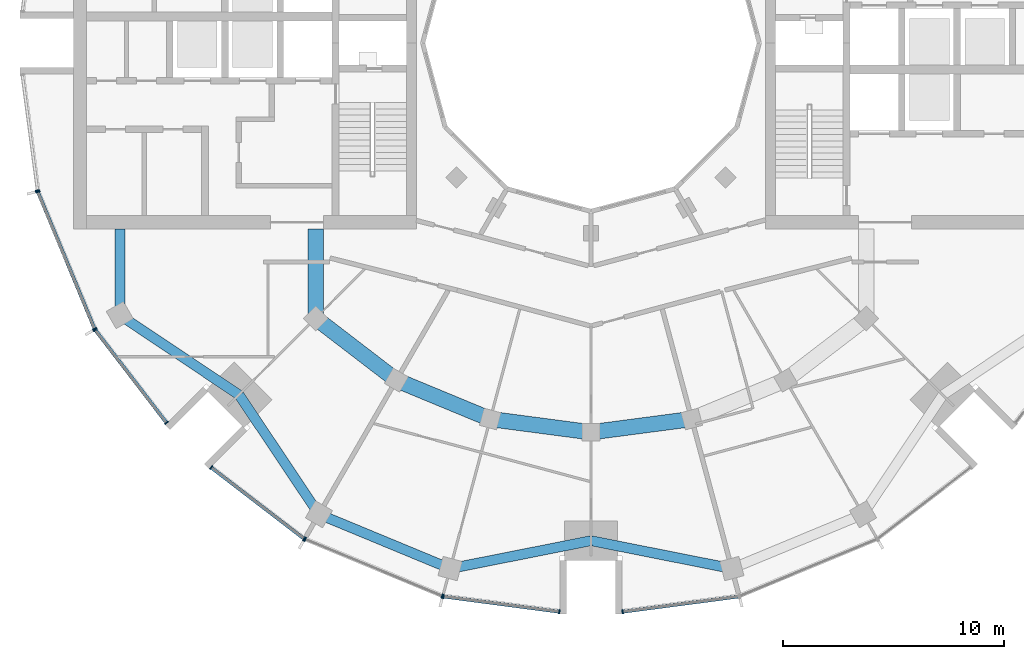
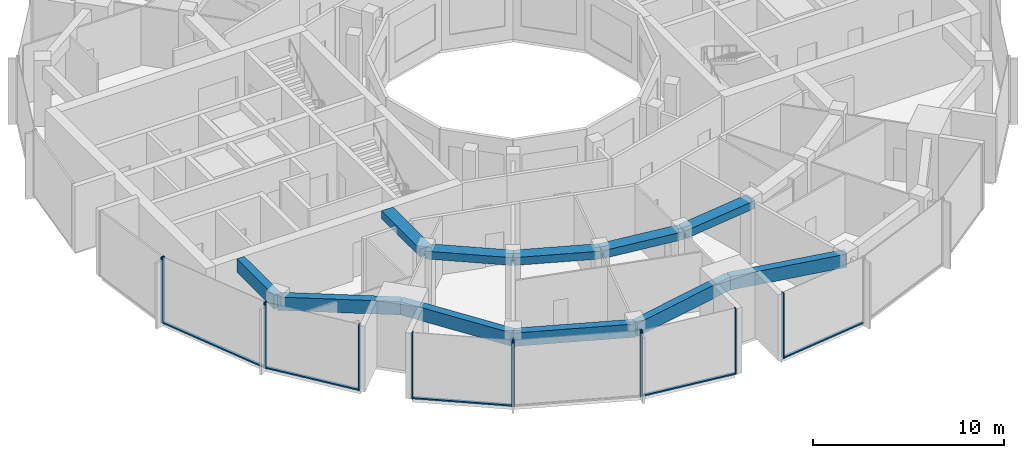
# One storey, part 2 of 15: 17 members, 11 beams, 7 elements without a shape of their own.
"""IFC4 building model written with IfcOpenShell, lengths in metres."""

from ifc_helpers import new_model, si_unit, direction, frame, origin, origin_2d, place, context, subcontext, project, spatial, rectangle, extrude, material, layer, layer_set, material_profile, profile_set, type_object, element, aggregate, save


model = new_model("IFC4")

# Units and contexts
model_context = context("Model", 3, precision=1e-05, world=origin(), true_north=direction((0.0, 1.0)))
body_context = subcontext(model_context, "Body", "Model", "MODEL_VIEW")
ifc_project = project(units=[si_unit("LENGTHUNIT", "METRE"), si_unit("AREAUNIT", "SQUARE_METRE"), si_unit("VOLUMEUNIT", "CUBIC_METRE"), si_unit("PLANEANGLEUNIT", "RADIAN"), si_unit("MASSUNIT", "GRAM", prefix="KILO")], contexts=[model_context])

# Site, building, storey
site_placement = place(None, origin())
site = spatial("IfcSite", under=ifc_project, at=site_placement, CompositionType="ELEMENT")
building_placement = place(site_placement, origin())
building = spatial("IfcBuilding", under=site, at=building_placement, Name="Torre Brocal", CompositionType="ELEMENT")
storey_placement = place(building_placement, frame((0.0, 0.0, 237.300048828125)))
storey = spatial("IfcBuildingStorey", under=building, at=storey_placement, Name="L54", CompositionType="ELEMENT", Elevation=237.300048828125)

# Curtain wall, members
ifc_material_1 = material(Name="Aluminium and glass", Category="aluminium")
ifc_layer_1 = layer(ifc_material_1, 0.199951171875)
ifc_layer_set_1 = layer_set([ifc_layer_1], Name="Aluminium and glass")
curtain_wall_type_1 = type_object("IfcCurtainWallType", Name="CW-1 CURTAIN WALL 4200 HIGH", PredefinedType="NOTDEFINED", material=ifc_layer_set_1)
curtain_wall_1_placement = place(storey_placement, origin())
curtain_wall_1 = element("IfcCurtainWall", 1, at=curtain_wall_1_placement, inside=storey, type_object=curtain_wall_type_1, Name="CW-1 RUN 14", PredefinedType="NOTDEFINED")
ifc_material_2 = material(Name="Aluminium, dark anodised", Category="aluminium")
ifc_material_profile_1 = material_profile(ifc_material_2, rectangle(XDim=0.199951171875, YDim=0.06005859375, at=origin_2d()), Name="CW-1 MULLION 60X200")
ifc_profile_set_1 = profile_set([ifc_material_profile_1], Name="Aluminium, dark anodised")
member_type_1 = type_object("IfcMemberType", Name="CW-1 MULLION 60X200", PredefinedType="MULLION", material=ifc_profile_set_1)
member_1_placement = place(storey_placement, frame((54.994873046875, 68.26904296875, 0.0), z_axis=(0.0, 0.0, 1.0), x_axis=(0.923879532525, 0.382683432333, 0.0)))
member_1 = element("IfcMember", 2, at=member_1_placement, type_object=member_type_1, Name="CW1-5 mullion 1", PredefinedType="MULLION", context=body_context, shape_type="SweptSolid", body=[
    extrude(rectangle(XDim=0.199951171875, YDim=0.06005859375, at=origin_2d()), origin(), (0.0, 0.0, 1.0), 4.199951171875),
])
member_2_placement = place(storey_placement, frame((57.559326171875, 62.078125, 0.0), z_axis=(0.0, 0.0, 1.0), x_axis=(0.923879532525, 0.382683432333, 0.0)))
member_2 = element("IfcMember", 3, at=member_2_placement, type_object=member_type_1, Name="CW1-5 mullion 2", PredefinedType="MULLION", context=body_context, shape_type="SweptSolid", body=[
    extrude(rectangle(XDim=0.199951171875, YDim=0.06005859375, at=origin_2d()), origin(), (0.0, 0.0, 1.0), 4.199951171875),
])

curtain_wall_2_placement = place(storey_placement, origin())
curtain_wall_2 = element("IfcCurtainWall", 4, at=curtain_wall_2_placement, inside=storey, type_object=curtain_wall_type_1, Name="CW-1 RUN 15", PredefinedType="NOTDEFINED")
member_3_placement = place(storey_placement, frame((57.5888671875, 62.026611328125, 0.0), z_axis=(0.0, 0.0, 1.0), x_axis=(0.793353340259, 0.60876142905, 0.0)))
member_3 = element("IfcMember", 5, at=member_3_placement, type_object=member_type_1, Name="CW1-5 mullion 1", PredefinedType="MULLION", context=body_context, shape_type="SweptSolid", body=[
    extrude(rectangle(XDim=0.199951171875, YDim=0.06005859375, at=origin_2d()), origin(), (0.0, 0.0, 1.0), 4.199951171875),
])
member_4_placement = place(storey_placement, frame((60.80859375, 57.83056640625, 0.0), z_axis=(0.0, 0.0, 1.0), x_axis=(0.793353340259, 0.60876142905, 0.0)))
member_4 = element("IfcMember", 6, at=member_4_placement, type_object=member_type_1, Name="CW1-5 mullion 2", PredefinedType="MULLION", context=body_context, shape_type="SweptSolid", body=[
    extrude(rectangle(XDim=0.199951171875, YDim=0.06005859375, at=origin_2d()), origin(), (0.0, 0.0, 1.0), 4.199951171875),
])

curtain_wall_3_placement = place(storey_placement, origin())
curtain_wall_3 = element("IfcCurtainWall", 7, at=curtain_wall_3_placement, inside=storey, type_object=curtain_wall_type_1, Name="CW-1 RUN 16", PredefinedType="NOTDEFINED")
member_5_placement = place(storey_placement, frame((62.83056640625, 55.80859375, 0.0), z_axis=(0.0, 0.0, 1.0), x_axis=(0.60876142905, 0.793353340259, 0.0)))
member_5 = element("IfcMember", 8, at=member_5_placement, type_object=member_type_1, Name="CW1-5 mullion 1", PredefinedType="MULLION", context=body_context, shape_type="SweptSolid", body=[
    extrude(rectangle(XDim=0.199951171875, YDim=0.06005859375, at=origin_2d()), origin(), (0.0, 0.0, 1.0), 4.199951171875),
])
member_6_placement = place(storey_placement, frame((67.026611328125, 52.5888671875, 0.0), z_axis=(0.0, 0.0, 1.0), x_axis=(0.60876142905, 0.793353340259, 0.0)))
member_6 = element("IfcMember", 9, at=member_6_placement, type_object=member_type_1, Name="CW1-5 mullion 2", PredefinedType="MULLION", context=body_context, shape_type="SweptSolid", body=[
    extrude(rectangle(XDim=0.199951171875, YDim=0.06005859375, at=origin_2d()), origin(), (0.0, 0.0, 1.0), 4.199951171875),
])

curtain_wall_4_placement = place(storey_placement, origin())
curtain_wall_4 = element("IfcCurtainWall", 10, at=curtain_wall_4_placement, inside=storey, type_object=curtain_wall_type_1, Name="CW-1 RUN 17", PredefinedType="NOTDEFINED")
member_7_placement = place(storey_placement, frame((67.078125, 52.559326171875, 0.0), z_axis=(0.0, 0.0, 1.0), x_axis=(0.382683432333, 0.923879532525, 0.0)))
member_7 = element("IfcMember", 11, at=member_7_placement, type_object=member_type_1, Name="CW1-5 mullion 1", PredefinedType="MULLION", context=body_context, shape_type="SweptSolid", body=[
    extrude(rectangle(XDim=0.199951171875, YDim=0.06005859375, at=origin_2d()), origin(), (0.0, 0.0, 1.0), 4.199951171875),
])
member_8_placement = place(storey_placement, frame((73.26904296875, 49.994873046875, 0.0), z_axis=(0.0, 0.0, 1.0), x_axis=(0.382683432333, 0.923879532525, 0.0)))
member_8 = element("IfcMember", 12, at=member_8_placement, type_object=member_type_1, Name="CW1-5 mullion 2", PredefinedType="MULLION", context=body_context, shape_type="SweptSolid", body=[
    extrude(rectangle(XDim=0.199951171875, YDim=0.06005859375, at=origin_2d()), origin(), (0.0, 0.0, 1.0), 4.199951171875),
])
aggregate(curtain_wall_4, [member_7, member_8])

curtain_wall_5_placement = place(storey_placement, origin())
curtain_wall_5 = element("IfcCurtainWall", 13, at=curtain_wall_5_placement, inside=storey, type_object=curtain_wall_type_1, Name="CW-1 RUN 18", PredefinedType="NOTDEFINED")
member_9_placement = place(storey_placement, frame((73.32666015625, 49.9794921875, 0.0), z_axis=(0.0, 0.0, 1.0), x_axis=(0.13052619222, 0.991444861374, 0.0)))
member_9 = element("IfcMember", 14, at=member_9_placement, type_object=member_type_1, Name="CW1-5 mullion 1", PredefinedType="MULLION", context=body_context, shape_type="SweptSolid", body=[
    extrude(rectangle(XDim=0.199951171875, YDim=0.06005859375, at=origin_2d()), origin(), (0.0, 0.0, 1.0), 4.199951171875),
])
member_10_placement = place(storey_placement, frame((78.5703125, 49.2890625, 0.0), z_axis=(0.0, 0.0, 1.0), x_axis=(0.13052619222, 0.991444861374, 0.0)))
member_10 = element("IfcMember", 15, at=member_10_placement, type_object=member_type_1, Name="CW1-5 mullion 2", PredefinedType="MULLION", context=body_context, shape_type="SweptSolid", body=[
    extrude(rectangle(XDim=0.199951171875, YDim=0.06005859375, at=origin_2d()), origin(), (0.0, 0.0, 1.0), 4.199951171875),
])

# Curtain wall, member
curtain_wall_6_placement = place(storey_placement, origin())
curtain_wall_6 = element("IfcCurtainWall", 16, at=curtain_wall_6_placement, inside=storey, type_object=curtain_wall_type_1, Name="CW-1 RUN 19", PredefinedType="NOTDEFINED")
member_11_placement = place(storey_placement, frame((81.4296875, 49.2890625, 0.0), z_axis=(0.0, 0.0, 1.0), x_axis=(-0.13052619222, 0.991444861374, 0.0)))
member_11 = element("IfcMember", 17, at=member_11_placement, type_object=member_type_1, Name="CW1-5 mullion 1", PredefinedType="MULLION", context=body_context, shape_type="SweptSolid", body=[
    extrude(rectangle(XDim=0.199951171875, YDim=0.06005859375, at=origin_2d()), origin(), (0.0, 0.0, 1.0), 4.199951171875),
])

# Member
ifc_material_3 = material(Name="Aluminium, dark anodised", Category="aluminium")
ifc_material_profile_2 = material_profile(ifc_material_3, rectangle(XDim=0.159912109375, YDim=0.080078125, at=origin_2d()), Name="CW-1 TRANSOM 160X80")
ifc_profile_set_2 = profile_set([ifc_material_profile_2], Name="Aluminium, dark anodised")
member_type_2 = type_object("IfcMemberType", Name="CW-1 TRANSOM 160X80", PredefinedType="USERDEFINED", material=ifc_profile_set_2)
member_12_placement = place(storey_placement, frame((55.00634765625, 68.241455078125, 0.0400390625), z_axis=(0.38266457234, -0.923887344364, 0.0), x_axis=(0.923887344364, 0.38266457234, 0.0)))
member_12 = element("IfcMember", 18, at=member_12_placement, type_object=member_type_2, Name="CW1-5 transom 1.1", ObjectType="TRANSOM", PredefinedType="USERDEFINED", context=body_context, shape_type="SweptSolid", body=[
    extrude(rectangle(XDim=0.159912109375, YDim=0.080078125, at=origin_2d()), origin(), (0.0, 0.0, 1.0), 6.640869140625),
])

aggregate(curtain_wall_1, [member_1, member_2, member_12])

member_13_placement = place(storey_placement, frame((57.607177734375, 62.0029296875, 0.0400390625), z_axis=(0.60874908096, -0.79336281513, 0.0), x_axis=(0.79336281513, 0.60874908096, 0.0)))
member_13 = element("IfcMember", 19, at=member_13_placement, type_object=member_type_2, Name="CW1-5 transom 1.1", ObjectType="TRANSOM", PredefinedType="USERDEFINED", context=body_context, shape_type="SweptSolid", body=[
    extrude(rectangle(XDim=0.159912109375, YDim=0.080078125, at=origin_2d()), origin(), (0.0, 0.0, 1.0), 5.22900390625),
])

aggregate(curtain_wall_2, [member_3, member_4, member_13])

member_14_placement = place(storey_placement, frame((62.8544921875, 55.790283203125, 0.0400390625), z_axis=(0.79336281513, -0.60874908096, 0.0), x_axis=(0.60874908096, 0.79336281513, 0.0)))
member_14 = element("IfcMember", 20, at=member_14_placement, type_object=member_type_2, Name="CW1-5 transom 1.1", ObjectType="TRANSOM", PredefinedType="USERDEFINED", context=body_context, shape_type="SweptSolid", body=[
    extrude(rectangle(XDim=0.159912109375, YDim=0.080078125, at=origin_2d()), origin(), (0.0, 0.0, 1.0), 5.22900390625),
])

aggregate(curtain_wall_3, [member_5, member_6, member_14])

member_15_placement = place(storey_placement, frame((73.356201171875, 49.9755859375, 0.0400390625), z_axis=(0.991442690863, -0.130542677827, 0.0), x_axis=(0.130542677827, 0.991442690863, 0.0)))
member_15 = element("IfcMember", 21, at=member_15_placement, type_object=member_type_2, Name="CW1-5 transom 1.1", ObjectType="TRANSOM", PredefinedType="USERDEFINED", context=body_context, shape_type="SweptSolid", body=[
    extrude(rectangle(XDim=0.159912109375, YDim=0.080078125, at=origin_2d()), origin(), (0.0, 0.0, 1.0), 5.22900390625),
])

aggregate(curtain_wall_5, [member_9, member_10, member_15])

member_16_placement = place(storey_placement, frame((81.45947265625, 49.29296875, 0.0400390625), z_axis=(0.991442690863, 0.130542677827, 0.0), x_axis=(-0.130542677827, 0.991442690863, 0.0)))
member_16 = element("IfcMember", 22, at=member_16_placement, type_object=member_type_2, Name="CW1-5 transom 1.1", ObjectType="TRANSOM", PredefinedType="USERDEFINED", context=body_context, shape_type="SweptSolid", body=[
    extrude(rectangle(XDim=0.159912109375, YDim=0.080078125, at=origin_2d()), origin(), (0.0, 0.0, 1.0), 5.22900390625),
])

aggregate(curtain_wall_6, [member_11, member_16])

# Curtain wall, member
ifc_material_4 = material(Name="Aluminium and glass", Category="aluminium")
ifc_layer_2 = layer(ifc_material_4, 0.199951171875)
ifc_layer_set_2 = layer_set([ifc_layer_2], Name="Aluminium and glass")
curtain_wall_type_2 = type_object("IfcCurtainWallType", Name="CW-1B CURTAIN WALL 4200 HIGH", PredefinedType="NOTDEFINED", material=ifc_layer_set_2)
curtain_wall_7_placement = place(storey_placement, origin())
curtain_wall_7 = element("IfcCurtainWall", 23, at=curtain_wall_7_placement, inside=storey, type_object=curtain_wall_type_2, Name="CW-1B RUN 13", PredefinedType="NOTDEFINED")
ifc_material_5 = material(Name="Aluminium, dark anodised", Category="aluminium")
ifc_material_profile_3 = material_profile(ifc_material_5, rectangle(XDim=0.199951171875, YDim=0.06005859375, at=origin_2d()), Name="CW-1B MULLION 60X200")
ifc_profile_set_3 = profile_set([ifc_material_profile_3], Name="Aluminium, dark anodised")
member_type_3 = type_object("IfcMemberType", Name="CW-1B MULLION 60X200", PredefinedType="MULLION", material=ifc_profile_set_3)
member_17_placement = place(storey_placement, frame((54.9794921875, 68.32666015625, 0.0), z_axis=(0.0, 0.0, 1.0), x_axis=(0.991444861374, 0.13052619222, 0.0)))
member_17 = element("IfcMember", 24, at=member_17_placement, type_object=member_type_3, Name="CW1B-5 mullion 2", PredefinedType="MULLION", context=body_context, shape_type="SweptSolid", body=[
    extrude(rectangle(XDim=0.199951171875, YDim=0.06005859375, at=origin_2d()), origin(), (0.0, 0.0, 1.0), 4.199951171875),
])
aggregate(curtain_wall_7, [member_17])

# Beams
ifc_material_6 = material(Name="Concrete C50", Category="concrete")
ifc_material_profile_4 = material_profile(ifc_material_6, rectangle(XDim=0.699951171875, YDim=0.5, at=origin_2d()), Name="RC 700X500")
ifc_profile_set_4 = profile_set([ifc_material_profile_4], Name="Concrete C50")
beam_type_1 = type_object("IfcBeamType", Name="RC BEAM 700X500 C50 TOP 3880", PredefinedType="BEAM", material=ifc_profile_set_4)
beam_1_placement = place(storey_placement, frame((67.554931640625, 62.554931640625, 3.6298828125), z_axis=(0.0, 1.0, 0.0), x_axis=(-1.0, 0.0, 0.0)))
element("IfcBeam", 25, at=beam_1_placement, inside=storey, type_object=beam_type_1, Name="Beam BT-37", PredefinedType="BEAM", context=body_context, shape_type="SweptSolid", body=[
    extrude(rectangle(XDim=0.699951171875, YDim=0.5, at=origin_2d()), origin(), (0.0, 0.0, 1.0), 4.045166015625),
])
beam_2_placement = place(storey_placement, frame((67.554931640625, 62.554931640625, 3.6298828125), z_axis=(0.793358265959, -0.6087550097, 0.0), x_axis=(0.6087550097, 0.793358265959, 0.0)))
element("IfcBeam", 26, at=beam_2_placement, inside=storey, type_object=beam_type_1, Name="Beam BT-37", PredefinedType="BEAM", context=body_context, shape_type="SweptSolid", body=[
    extrude(rectangle(XDim=0.699951171875, YDim=0.5, at=origin_2d()), origin(), (0.0, 0.0, 1.0), 4.594482421875),
])
beam_3_placement = place(storey_placement, frame((71.199951171875, 59.758056640625, 3.6298828125), z_axis=(0.923878240166, -0.382686552348, 0.0), x_axis=(0.382686552348, 0.923878240166, 0.0)))
element("IfcBeam", 27, at=beam_3_placement, inside=storey, type_object=beam_type_1, Name="Beam BT-37", PredefinedType="BEAM", context=body_context, shape_type="SweptSolid", body=[
    extrude(rectangle(XDim=0.699951171875, YDim=0.5, at=origin_2d()), origin(), (0.0, 0.0, 1.0), 4.5947265625),
])
for number, where, z_axis, x_axis, name in (
    (28, (75.44482421875, 57.999755859375, 3.6298828125), (0.991440544449, -0.130558978332, 0.0), (0.130558978332, 0.991440544449, 0.0), "Beam BT-37"),
    (29, (80.0, 57.39990234375, 3.6298828125), (0.991440544449, 0.130558978332, 0.0), (-0.130558978332, 0.991440544449, 0.0), "Beam BT-37"),
):
    element("IfcBeam", number, at=place(storey_placement, frame(where, z_axis=z_axis, x_axis=x_axis)), inside=storey, type_object=beam_type_1, Name=name, PredefinedType="BEAM", context=body_context, shape_type="SweptSolid", body=[
        extrude(rectangle(XDim=0.699951171875, YDim=0.5, at=origin_2d()), origin(), (0.0, 0.0, 1.0), 4.594482421875),
    ])
ifc_material_7 = material(Name="Concrete C50", Category="concrete")
ifc_material_profile_5 = material_profile(ifc_material_7, rectangle(XDim=0.449951171875, YDim=0.85009765625, at=origin_2d()), Name="RC 450X850")
ifc_profile_set_5 = profile_set([ifc_material_profile_5], Name="Concrete C50")
beam_type_2 = type_object("IfcBeamType", Name="RC SPANDREL BEAM 450X850 C50 TOP 3880", PredefinedType="SPANDREL", material=ifc_profile_set_5)
beam_4_placement = place(storey_placement, frame((58.69580078125, 62.699951171875, 3.454833984375), z_axis=(0.0, 1.0, 0.0), x_axis=(-1.0, 0.0, 0.0)))
element("IfcBeam", 30, at=beam_4_placement, inside=storey, type_object=beam_type_2, Name="Beam BT-38", PredefinedType="SPANDREL", context=body_context, shape_type="SweptSolid", body=[
    extrude(rectangle(XDim=0.449951171875, YDim=0.85009765625, at=origin_2d()), origin(), (0.0, 0.0, 1.0), 3.900146484375),
])
for number, where, z_axis, x_axis, name in (
    (31, (58.69580078125, 62.699951171875, 3.454833984375), (0.831076844476, -0.556157602282, 0.0), (0.556157602282, 0.831076844476, 0.0), "Beam BT-38"),
    (32, (64.090087890625, 59.090087890625, 3.454833984375), (0.556157602282, -0.831076844476, 0.0), (0.831076844476, 0.556157602282, 0.0), "Beam BT-38"),
):
    element("IfcBeam", number, at=place(storey_placement, frame(where, z_axis=z_axis, x_axis=x_axis)), inside=storey, type_object=beam_type_2, Name=name, PredefinedType="SPANDREL", context=body_context, shape_type="SweptSolid", body=[
        extrude(rectangle(XDim=0.449951171875, YDim=0.85009765625, at=origin_2d()), origin(), (0.0, 0.0, 1.0), 6.49072265625),
    ])
beam_5_placement = place(storey_placement, frame((67.699951171875, 53.69580078125, 3.454833984375), z_axis=(0.923882462513, -0.382676358639, 0.0), x_axis=(0.382676358639, 0.923882462513, 0.0)))
element("IfcBeam", 33, at=beam_5_placement, inside=storey, type_object=beam_type_2, Name="Beam BT-38", PredefinedType="SPANDREL", context=body_context, shape_type="SweptSolid", body=[
    extrude(rectangle(XDim=0.449951171875, YDim=0.85009765625, at=origin_2d()), origin(), (0.0, 0.0, 1.0), 6.421875),
])
for number, where, z_axis, x_axis, name in (
    (34, (73.633056640625, 51.23828125, 3.454833984375), (0.980924907484, 0.194387051723, 0.0), (-0.194387051723, 0.980924907484, 0.0), "Beam BT-38"),
    (35, (80.0, 52.5, 3.454833984375), (0.980924907484, -0.194387051723, 0.0), (0.194387051723, 0.980924907484, 0.0), "Beam BT-38"),
):
    element("IfcBeam", number, at=place(storey_placement, frame(where, z_axis=z_axis, x_axis=x_axis)), inside=storey, type_object=beam_type_2, Name=name, PredefinedType="SPANDREL", context=body_context, shape_type="SweptSolid", body=[
        extrude(rectangle(XDim=0.449951171875, YDim=0.85009765625, at=origin_2d()), origin(), (0.0, 0.0, 1.0), 6.49072265625),
    ])

save(model, "model.ifc")
